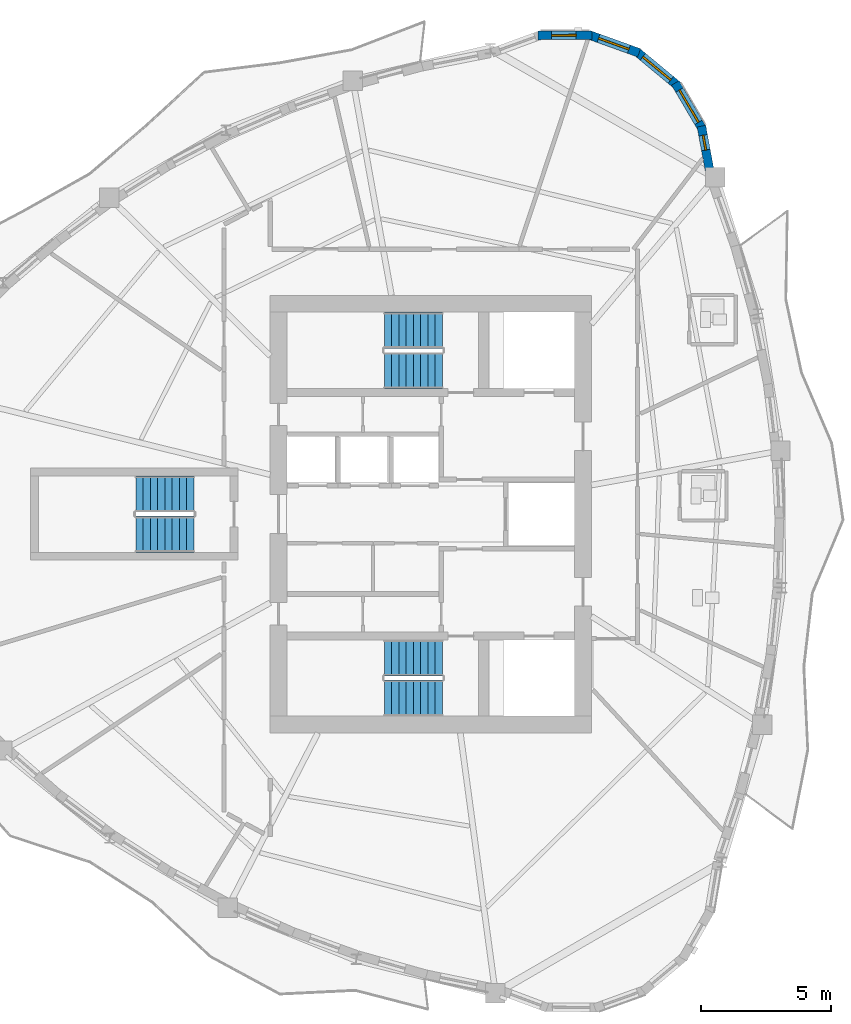
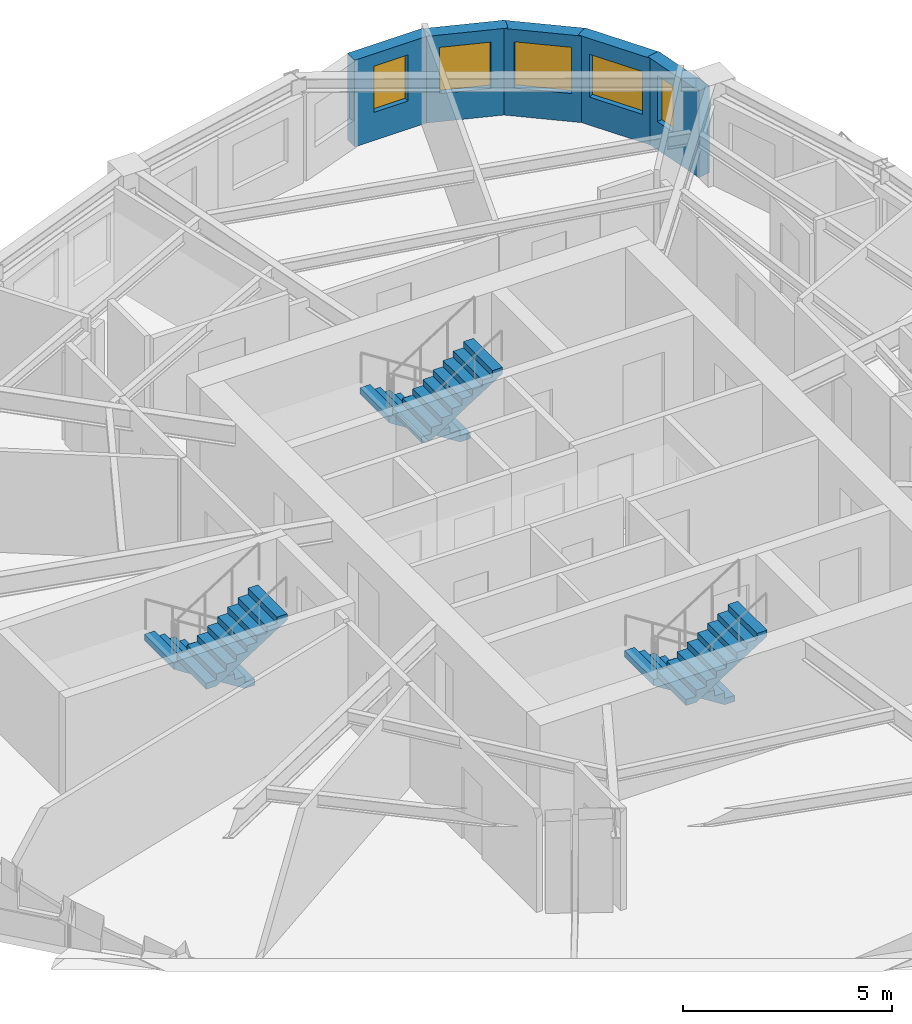
# One storey, part 8 of 12: 6 stair flights, 5 walls, 5 windows, 5 openings, 3 elements without a shape of their own.
"""IFC4 building model written with IfcOpenShell, lengths in metres."""

from ifc_helpers import new_model, si_unit, direction, frame, frame_2d, origin, place, context, subcontext, project, spatial, polyline, rectangle, outline, extrude, source, transform, mapped, material, layer, layer_set, type_object, element, fill, aggregate, save


model = new_model("IFC4")

# Units and contexts
model_context = context("Model", 3, precision=1e-05, world=origin(), true_north=direction((0.0, 1.0)))
body_context = subcontext(model_context, "Body", "Model", "MODEL_VIEW")
ifc_project = project(units=[si_unit("LENGTHUNIT", "METRE"), si_unit("AREAUNIT", "SQUARE_METRE"), si_unit("VOLUMEUNIT", "CUBIC_METRE"), si_unit("PLANEANGLEUNIT", "RADIAN"), si_unit("MASSUNIT", "GRAM", prefix="KILO")], contexts=[model_context])

# Site, building, storey
site_placement = place(None, origin())
site = spatial("IfcSite", under=ifc_project, at=site_placement, CompositionType="ELEMENT")
building_placement = place(site_placement, origin())
building = spatial("IfcBuilding", under=site, at=building_placement, Name="Qafzar Sky-Pleat Residences", CompositionType="ELEMENT")
storey_placement = place(building_placement, frame((0.0, 0.0, 142.60009765625)))
storey = spatial("IfcBuildingStorey", under=building, at=storey_placement, Name="L42", CompositionType="ELEMENT", Elevation=142.60009765625)

# Wall, opening, window
ifc_material_1 = material(Name="Precast concrete C40/50 with honed Riyadh limestone", Category="concrete")
ifc_layer = layer(ifc_material_1, 0.340087890625)
ifc_layer_set = layer_set([ifc_layer], Name="Precast concrete C40/50 with honed Riyadh limestone")
wall_type = type_object("IfcWallType", Name="WALL-EXT-340", PredefinedType="SOLIDWALL", material=ifc_layer_set)
wall_1_placement = place(storey_placement, frame((41.142822265625, 39.12353515625, 0.0), z_axis=(0.0, 0.0, 1.0), x_axis=(-0.182320770307, 0.983239104549, 0.0)))
wall_1 = element("IfcWall", 1, at=wall_1_placement, inside=storey, type_object=wall_type, Name="L42 Limestone Facade Wall 33", PredefinedType="SOLIDWALL", context=body_context, shape_type="SweptSolid", body=[
    extrude(rectangle(XDim=1.88818359375, YDim=0.340087890625, at=frame_2d((0.944091796875, 0.0))), origin(), (0.0, 0.0, 1.0), 2.52978515625),
])
opening_1_placement = place(wall_1_placement, frame((0.949462890625, 0.0, 0.820068359375)))
opening_1 = element("IfcOpeningElement", 2, at=opening_1_placement, cuts=wall_1, Name="Opening WN-17", PredefinedType="OPENING", context=body_context, shape_type="SweptSolid", body=[
    extrude(rectangle(XDim=0.580078125, YDim=1.35009765625, at=frame_2d((0.2900390625, 0.675048828125))), frame((0.0, 0.18017578125, 0.0), z_axis=(0.0, -1.0, 0.0), x_axis=(1.0, 0.0, 0.0)), (0.0, 0.0, 1.0), 0.360107421875),
])
ifc_material_2 = material(Name="Solar-control low-E glass in bronze aluminium frame", Category="glass")
window_type_1 = type_object("IfcWindowType", Name="WIN-17", PartitioningType="SINGLE_PANEL", PredefinedType="WINDOW", material=ifc_material_2)
shared_shape_1 = source(origin(), body_context, "Body", "SweptSolid", [
    extrude(rectangle(XDim=0.580078125, YDim=1.35009765625, at=frame_2d((0.2900390625, 0.675048828125))), frame((0.0, 0.030029296875, 0.0), z_axis=(0.0, -1.0, 0.0), x_axis=(1.0, 0.0, 0.0)), (0.0, 0.0, 1.0), 0.06005859375),
])
window_1_placement = place(opening_1_placement, origin())
window_1 = element("IfcWindow", 3, at=window_1_placement, inside=storey, type_object=window_type_1, Name="L42 Punched Facade Window 33-2", OverallHeight=1.35009765625, OverallWidth=0.580078125, PartitioningType="SINGLE_PANEL", PredefinedType="WINDOW", context=body_context, shape_type="MappedRepresentation", body=[
    mapped(shared_shape_1, transform((0.0, 0.0, 0.0), x_axis=(1.0, 0.0, 0.0), y_axis=(0.0, 1.0, 0.0), z_axis=(0.0, 0.0, 1.0), scale=1.0)),
])
fill(opening_1, window_1)

wall_2_placement = place(storey_placement, frame((40.84521484375, 40.85498046875, 0.0), z_axis=(0.0, 0.0, 1.0), x_axis=(-0.506225227923, 0.862401309493, 0.0)))
wall_2 = element("IfcWall", 4, at=wall_2_placement, inside=storey, type_object=wall_type, Name="L42 Limestone Facade Wall 34", PredefinedType="SOLIDWALL", context=body_context, shape_type="SweptSolid", body=[
    extrude(rectangle(XDim=2.0810546875, YDim=0.340087890625, at=frame_2d((1.04052734375, 0.0))), origin(), (0.0, 0.0, 1.0), 2.52978515625),
])
opening_2_placement = place(wall_2_placement, frame((0.315673828125, 0.0, 0.820068359375)))
opening_2 = element("IfcOpeningElement", 5, at=opening_2_placement, cuts=wall_2, Name="Opening WN-15", PredefinedType="OPENING", context=body_context, shape_type="SweptSolid", body=[
    extrude(rectangle(XDim=1.449951171875, YDim=1.25, at=frame_2d((0.72509765625, 0.625))), frame((0.0, 0.18017578125, 0.0), z_axis=(0.0, -1.0, 0.0), x_axis=(1.0, 0.0, 0.0)), (0.0, 0.0, 1.0), 0.360107421875),
])
window_type_2 = type_object("IfcWindowType", Name="WIN-15", PartitioningType="SINGLE_PANEL", PredefinedType="WINDOW", material=ifc_material_2)
shared_shape_2 = source(origin(), body_context, "Body", "SweptSolid", [
    extrude(rectangle(XDim=1.449951171875, YDim=1.25, at=frame_2d((0.72509765625, 0.625))), frame((0.0, 0.030029296875, 0.0), z_axis=(0.0, -1.0, 0.0), x_axis=(1.0, 0.0, 0.0)), (0.0, 0.0, 1.0), 0.06005859375),
])
window_2_placement = place(opening_2_placement, origin())
window_2 = element("IfcWindow", 6, at=window_2_placement, inside=storey, type_object=window_type_2, Name="L42 Punched Facade Window 34", OverallHeight=1.25, OverallWidth=1.449951171875, PartitioningType="SINGLE_PANEL", PredefinedType="WINDOW", context=body_context, shape_type="MappedRepresentation", body=[
    mapped(shared_shape_2, transform((0.0, 0.0, 0.0), x_axis=(1.0, 0.0, 0.0), y_axis=(0.0, 1.0, 0.0), z_axis=(0.0, 0.0, 1.0), scale=1.0)),
])
fill(opening_2, window_2)

wall_3_placement = place(storey_placement, frame((39.87841796875, 42.5478515625, 0.0), z_axis=(0.0, 0.0, 1.0), x_axis=(-0.769690471148, 0.63841724493, 0.0)))
wall_3 = element("IfcWall", 7, at=wall_3_placement, inside=storey, type_object=wall_type, Name="L42 Limestone Facade Wall 35", PredefinedType="SOLIDWALL", context=body_context, shape_type="SweptSolid", body=[
    extrude(rectangle(XDim=2.0810546875, YDim=0.340087890625, at=frame_2d((1.04052734375, 0.0))), origin(), (0.0, 0.0, 1.0), 2.52978515625),
])
opening_3_placement = place(wall_3_placement, frame((0.340576171875, 0.0, 0.820068359375)))
opening_3 = element("IfcOpeningElement", 8, at=opening_3_placement, cuts=wall_3, Name="Opening WN-10", PredefinedType="OPENING", context=body_context, shape_type="SweptSolid", body=[
    extrude(rectangle(XDim=1.39990234375, YDim=1.35009765625, at=frame_2d((0.699951171875, 0.675048828125))), frame((0.0, 0.18017578125, 0.0), z_axis=(0.0, -1.0, 0.0), x_axis=(1.0, 0.0, 0.0)), (0.0, 0.0, 1.0), 0.360107421875),
])
window_type_3 = type_object("IfcWindowType", Name="WIN-10", PartitioningType="SINGLE_PANEL", PredefinedType="WINDOW", material=ifc_material_2)
shared_shape_3 = source(origin(), body_context, "Body", "SweptSolid", [
    extrude(rectangle(XDim=1.39990234375, YDim=1.35009765625, at=frame_2d((0.699951171875, 0.675048828125))), frame((0.0, 0.030029296875, 0.0), z_axis=(0.0, -1.0, 0.0), x_axis=(1.0, 0.0, 0.0)), (0.0, 0.0, 1.0), 0.06005859375),
])
window_3_placement = place(opening_3_placement, origin())
window_3 = element("IfcWindow", 9, at=window_3_placement, inside=storey, type_object=window_type_3, Name="L42 Punched Facade Window 35", OverallHeight=1.35009765625, OverallWidth=1.39990234375, PartitioningType="SINGLE_PANEL", PredefinedType="WINDOW", context=body_context, shape_type="MappedRepresentation", body=[
    mapped(shared_shape_3, transform((0.0, 0.0, 0.0), x_axis=(1.0, 0.0, 0.0), y_axis=(0.0, 1.0, 0.0), z_axis=(0.0, 0.0, 1.0), scale=1.0)),
])
fill(opening_3, window_3)

wall_4_placement = place(storey_placement, frame((38.392578125, 43.810302734375, 0.0), z_axis=(0.0, 0.0, 1.0), x_axis=(-0.941033874027, 0.338312352617, 0.0)))
wall_4 = element("IfcWall", 10, at=wall_4_placement, inside=storey, type_object=wall_type, Name="L42 Limestone Facade Wall 36", PredefinedType="SOLIDWALL", context=body_context, shape_type="SweptSolid", body=[
    extrude(rectangle(XDim=2.081298828125, YDim=0.340087890625, at=frame_2d((1.04052734375, 0.0))), origin(), (0.0, 0.0, 1.0), 2.52978515625),
])
opening_4_placement = place(wall_4_placement, frame((0.41552734375, 0.0, 0.820068359375)))
opening_4 = element("IfcOpeningElement", 11, at=opening_4_placement, cuts=wall_4, Name="Opening WN-11", PredefinedType="OPENING", context=body_context, shape_type="SweptSolid", body=[
    extrude(rectangle(XDim=1.25, YDim=1.35009765625, at=frame_2d((0.625, 0.675048828125))), frame((0.0, 0.18017578125, 0.0), z_axis=(0.0, -1.0, 0.0), x_axis=(1.0, 0.0, 0.0)), (0.0, 0.0, 1.0), 0.360107421875),
])
window_type_4 = type_object("IfcWindowType", Name="WIN-11", PartitioningType="SINGLE_PANEL", PredefinedType="WINDOW", material=ifc_material_2)
shared_shape_4 = source(origin(), body_context, "Body", "SweptSolid", [
    extrude(rectangle(XDim=1.25, YDim=1.35009765625, at=frame_2d((0.625, 0.675048828125))), frame((0.0, 0.030029296875, 0.0), z_axis=(0.0, -1.0, 0.0), x_axis=(1.0, 0.0, 0.0)), (0.0, 0.0, 1.0), 0.06005859375),
])
window_4_placement = place(opening_4_placement, origin())
window_4 = element("IfcWindow", 12, at=window_4_placement, inside=storey, type_object=window_type_4, Name="L42 Punched Facade Window 36", OverallHeight=1.35009765625, OverallWidth=1.25, PartitioningType="SINGLE_PANEL", PredefinedType="WINDOW", context=body_context, shape_type="MappedRepresentation", body=[
    mapped(shared_shape_4, transform((0.0, 0.0, 0.0), x_axis=(1.0, 0.0, 0.0), y_axis=(0.0, 1.0, 0.0), z_axis=(0.0, 0.0, 1.0), scale=1.0)),
])
fill(opening_4, window_4)

wall_5_placement = place(storey_placement, frame((36.56591796875, 44.491455078125, 0.0), z_axis=(0.0, 0.0, 1.0), x_axis=(-0.999996965984, -0.002463335635, 0.0)))
wall_5 = element("IfcWall", 13, at=wall_5_placement, inside=storey, type_object=wall_type, Name="L42 Limestone Facade Wall 37", PredefinedType="SOLIDWALL", context=body_context, shape_type="SweptSolid", body=[
    extrude(rectangle(XDim=2.081298828125, YDim=0.340087890625, at=frame_2d((1.04052734375, 0.0))), origin(), (0.0, 0.0, 1.0), 2.52978515625),
])
opening_5_placement = place(wall_5_placement, frame((0.601806640625, 0.0, 0.820068359375)))
opening_5 = element("IfcOpeningElement", 14, at=opening_5_placement, cuts=wall_5, Name="Opening WN-12", PredefinedType="OPENING", context=body_context, shape_type="SweptSolid", body=[
    extrude(rectangle(XDim=0.949951171875, YDim=1.35009765625, at=frame_2d((0.47509765625, 0.675048828125))), frame((0.0, 0.18017578125, 0.0), z_axis=(0.0, -1.0, 0.0), x_axis=(1.0, 0.0, 0.0)), (0.0, 0.0, 1.0), 0.360107421875),
])
window_type_5 = type_object("IfcWindowType", Name="WIN-12", PartitioningType="SINGLE_PANEL", PredefinedType="WINDOW", material=ifc_material_2)
shared_shape_5 = source(origin(), body_context, "Body", "SweptSolid", [
    extrude(rectangle(XDim=0.949951171875, YDim=1.35009765625, at=frame_2d((0.47509765625, 0.675048828125))), frame((0.0, 0.030029296875, 0.0), z_axis=(0.0, -1.0, 0.0), x_axis=(1.0, 0.0, 0.0)), (0.0, 0.0, 1.0), 0.06005859375),
])
window_5_placement = place(opening_5_placement, origin())
window_5 = element("IfcWindow", 15, at=window_5_placement, inside=storey, type_object=window_type_5, Name="L42 Punched Facade Window 37", OverallHeight=1.35009765625, OverallWidth=0.949951171875, PartitioningType="SINGLE_PANEL", PredefinedType="WINDOW", context=body_context, shape_type="MappedRepresentation", body=[
    mapped(shared_shape_5, transform((0.0, 0.0, 0.0), x_axis=(1.0, 0.0, 0.0), y_axis=(0.0, 1.0, 0.0), z_axis=(0.0, 0.0, 1.0), scale=1.0)),
])
fill(opening_5, window_5)

# Stair, stair flights
ifc_material_3 = material(Name="Concrete C40/50", Category="concrete")
stair_type = type_object("IfcStairType", Name="STAIR-H320", PredefinedType="HALF_TURN_STAIR", material=ifc_material_3)
stair_1_placement = place(storey_placement, origin())
stair_1 = element("IfcStair", 16, at=stair_1_placement, inside=storey, type_object=stair_type, Name="L42 Protected Exit Stair ST1", PredefinedType="HALF_TURN_STAIR")
stair_flight_type = type_object("IfcStairFlightType", Name="FLIGHT-H320", PredefinedType="STRAIGHT", material=ifc_material_3)
shared_shape_6 = source(origin(), body_context, "Body", "SweptSolid", [
    extrude(outline(polyline([(0.0, 0.0), (0.0, 0.177734375), (0.280029296875, 0.177734375), (0.280029296875, 0.35546875), (0.56005859375, 0.35546875), (0.56005859375, 0.533447265625), (0.840087890625, 0.533447265625), (0.840087890625, 0.711181640625), (1.1201171875, 0.711181640625), (1.1201171875, 0.888916015625), (1.39990234375, 0.888916015625), (1.39990234375, 1.066650390625), (1.679931640625, 1.066650390625), (1.679931640625, 1.244384765625), (1.9599609375, 1.244384765625), (1.9599609375, 1.422119140625), (2.239990234375, 1.422119140625), (2.239990234375, 1.60009765625), (2.239990234375, 1.24462890625), (0.27978515625, 0.0), (0.0, 0.0)])), frame((0.0, 0.699951171875, 0.0), z_axis=(0.0, -1.0, 0.0), x_axis=(1.0, 0.0, 0.0)), (0.0, 0.0, 1.0), 1.39990234375),
])
stair_flight_1_placement = place(storey_placement, frame((30.800048828125, 20.449951171875, 0.0), z_axis=(0.0, 0.0, 1.0), x_axis=(-1.0, 0.0, 0.0)))
stair_flight_1 = element("IfcStairFlight", 17, at=stair_flight_1_placement, type_object=stair_flight_type, Name="ST1 flight 1", NumberOfRisers=9, NumberOfTreads=8, PredefinedType="STRAIGHT", RiserHeight=0.177777778, TreadLength=0.28, context=body_context, shape_type="MappedRepresentation", body=[
    mapped(shared_shape_6, transform((0.0, 0.0, 0.0), x_axis=(1.0, 0.0, 0.0), y_axis=(0.0, 1.0, 0.0), z_axis=(0.0, 0.0, 1.0), scale=1.0)),
])
stair_flight_2_placement = place(storey_placement, frame((28.56005859375, 18.89990234375, 1.599853515625), z_axis=(0.0, 0.0, 1.0), x_axis=(1.0, 0.0, 0.0)))
stair_flight_2 = element("IfcStairFlight", 18, at=stair_flight_2_placement, type_object=stair_flight_type, Name="ST1 flight 2", NumberOfRisers=9, NumberOfTreads=8, PredefinedType="STRAIGHT", RiserHeight=0.177777778, TreadLength=0.28, context=body_context, shape_type="MappedRepresentation", body=[
    mapped(shared_shape_6, transform((0.0, 0.0, 0.0), x_axis=(1.0, 0.0, 0.0), y_axis=(0.0, 1.0, 0.0), z_axis=(0.0, 0.0, 1.0), scale=1.0)),
])
aggregate(stair_1, [stair_flight_1, stair_flight_2])

stair_2_placement = place(storey_placement, origin())
stair_2 = element("IfcStair", 19, at=stair_2_placement, inside=storey, type_object=stair_type, Name="L42 Protected Exit Stair ST2", PredefinedType="HALF_TURN_STAIR")
stair_flight_3_placement = place(storey_placement, frame((30.800048828125, 33.10009765625, 0.0), z_axis=(0.0, 0.0, 1.0), x_axis=(-1.0, 0.0, 0.0)))
stair_flight_3 = element("IfcStairFlight", 20, at=stair_flight_3_placement, type_object=stair_flight_type, Name="ST2 flight 1", NumberOfRisers=9, NumberOfTreads=8, PredefinedType="STRAIGHT", RiserHeight=0.177777778, TreadLength=0.28, context=body_context, shape_type="MappedRepresentation", body=[
    mapped(shared_shape_6, transform((0.0, 0.0, 0.0), x_axis=(1.0, 0.0, 0.0), y_axis=(0.0, 1.0, 0.0), z_axis=(0.0, 0.0, 1.0), scale=1.0)),
])
stair_flight_4_placement = place(storey_placement, frame((28.56005859375, 31.550048828125, 1.599853515625), z_axis=(0.0, 0.0, 1.0), x_axis=(1.0, 0.0, 0.0)))
stair_flight_4 = element("IfcStairFlight", 21, at=stair_flight_4_placement, type_object=stair_flight_type, Name="ST2 flight 2", NumberOfRisers=9, NumberOfTreads=8, PredefinedType="STRAIGHT", RiserHeight=0.177777778, TreadLength=0.28, context=body_context, shape_type="MappedRepresentation", body=[
    mapped(shared_shape_6, transform((0.0, 0.0, 0.0), x_axis=(1.0, 0.0, 0.0), y_axis=(0.0, 1.0, 0.0), z_axis=(0.0, 0.0, 1.0), scale=1.0)),
])
aggregate(stair_2, [stair_flight_3, stair_flight_4])

stair_3_placement = place(storey_placement, origin())
stair_3 = element("IfcStair", 22, at=stair_3_placement, inside=storey, type_object=stair_type, Name="L42 Protected Exit Stair ST3", PredefinedType="HALF_TURN_STAIR")
stair_flight_5_placement = place(storey_placement, frame((21.199951171875, 26.77490234375, 0.0), z_axis=(0.0, 0.0, 1.0), x_axis=(-1.0, 0.0, 0.0)))
stair_flight_5 = element("IfcStairFlight", 23, at=stair_flight_5_placement, type_object=stair_flight_type, Name="ST3 flight 1", NumberOfRisers=9, NumberOfTreads=8, PredefinedType="STRAIGHT", RiserHeight=0.177777778, TreadLength=0.28, context=body_context, shape_type="MappedRepresentation", body=[
    mapped(shared_shape_6, transform((0.0, 0.0, 0.0), x_axis=(1.0, 0.0, 0.0), y_axis=(0.0, 1.0, 0.0), z_axis=(0.0, 0.0, 1.0), scale=1.0)),
])
stair_flight_6_placement = place(storey_placement, frame((18.9599609375, 25.22509765625, 1.599853515625), z_axis=(0.0, 0.0, 1.0), x_axis=(1.0, 0.0, 0.0)))
stair_flight_6 = element("IfcStairFlight", 24, at=stair_flight_6_placement, type_object=stair_flight_type, Name="ST3 flight 2", NumberOfRisers=9, NumberOfTreads=8, PredefinedType="STRAIGHT", RiserHeight=0.177777778, TreadLength=0.28, context=body_context, shape_type="MappedRepresentation", body=[
    mapped(shared_shape_6, transform((0.0, 0.0, 0.0), x_axis=(1.0, 0.0, 0.0), y_axis=(0.0, 1.0, 0.0), z_axis=(0.0, 0.0, 1.0), scale=1.0)),
])
aggregate(stair_3, [stair_flight_5, stair_flight_6])

save(model, "model.ifc")
